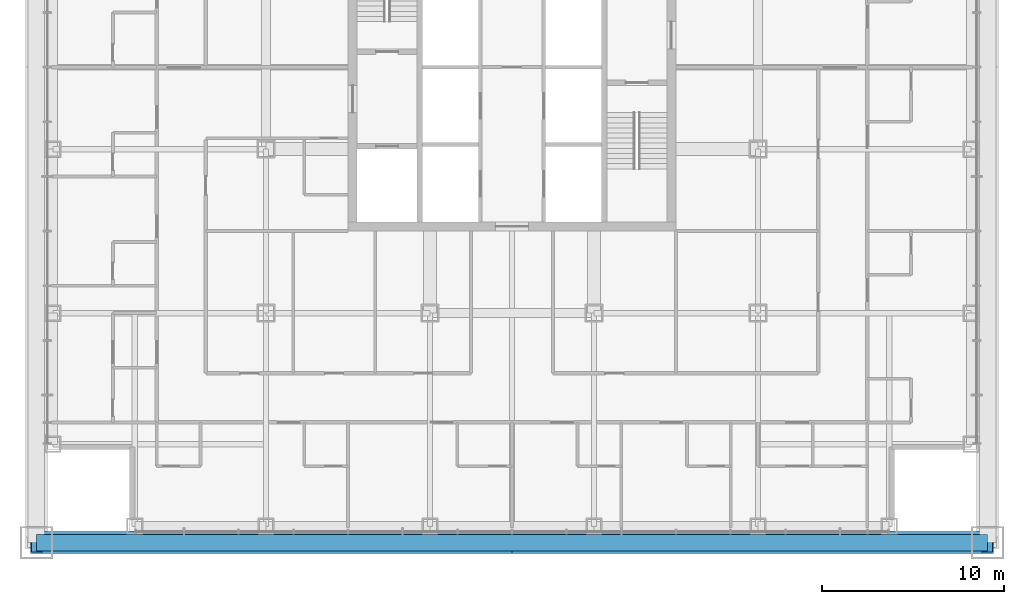
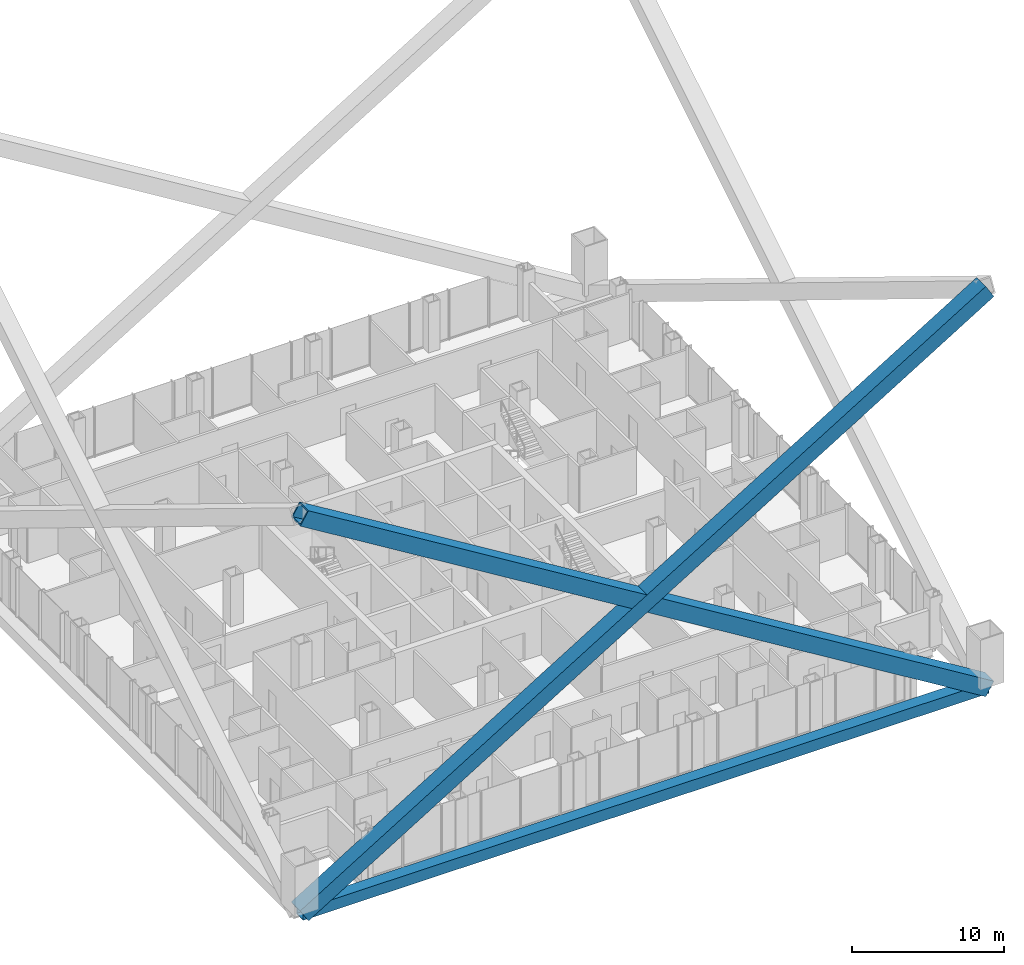
# One storey, part 3 of 21: 3 members.
"""IFC4 building model written with IfcOpenShell, lengths in metres."""

from ifc_helpers import new_model, si_unit, direction, frame, origin, origin_2d, place, context, subcontext, project, spatial, hollow_rectangle, extrude, material, material_profile, profile_set, type_object, element, save


model = new_model("IFC4")

# Units and contexts
model_context = context("Model", 3, precision=1e-05, world=origin(), true_north=direction((0.0, 1.0)))
body_context = subcontext(model_context, "Body", "Model", "MODEL_VIEW")
ifc_project = project(units=[si_unit("LENGTHUNIT", "METRE"), si_unit("AREAUNIT", "SQUARE_METRE"), si_unit("VOLUMEUNIT", "CUBIC_METRE"), si_unit("PLANEANGLEUNIT", "RADIAN"), si_unit("MASSUNIT", "GRAM", prefix="KILO")], contexts=[model_context])

# Site, building, storey
site_placement = place(None, origin())
site = spatial("IfcSite", under=ifc_project, at=site_placement, CompositionType="ELEMENT")
building_placement = place(site_placement, origin())
building = spatial("IfcBuilding", under=site, at=building_placement, Name="Malebo Sky Hospital", CompositionType="ELEMENT")
storey_placement = place(building_placement, frame((0.0, 0.0, 31.0)))
storey = spatial("IfcBuildingStorey", under=building, at=storey_placement, Name="L06", CompositionType="ELEMENT", Elevation=31.0)

# Members
ifc_material = material(Name="Steel S460", Category="steel")
ifc_material_profile_1 = material_profile(ifc_material, hollow_rectangle(XDim=1.199951171875, YDim=1.199951171875, WallThickness=0.10009765625, at=origin_2d()), Name="BOX 1200x1200x100")
ifc_profile_set_1 = profile_set([ifc_material_profile_1], Name="Steel S460")
member_type_1 = type_object("IfcMemberType", Name="MEGA BRACE BOX 1200x1200x100", PredefinedType="BRACE", material=ifc_profile_set_1)
for number, where, z_axis, x_axis, name in (
    (1, (33.89990234375, 35.89990234375, -0.39990234375), (0.85255517375, 0.0, 0.522637231464), (0.0, 1.0, 0.0), "Mega brace A1S1 L06-L14"),
    (2, (86.10009765625, 35.89990234375, -0.39990234375), (-0.85255517375, 0.0, 0.522637231464), (0.0, -1.0, 0.0), "Mega brace A1S2 L06-L14"),
):
    element("IfcMember", number, at=place(storey_placement, frame(where, z_axis=z_axis, x_axis=x_axis)), inside=storey, type_object=member_type_1, Name=name, PredefinedType="BRACE", context=body_context, shape_type="SweptSolid", body=[
        extrude(hollow_rectangle(XDim=1.199951171875, YDim=1.199951171875, WallThickness=0.10009765625, at=origin_2d()), origin(), (0.0, 0.0, 1.0), 61.22802734375),
    ])
ifc_material_profile_2 = material_profile(ifc_material, hollow_rectangle(XDim=0.89990234375, YDim=0.89990234375, WallThickness=0.050048828125, at=origin_2d()), Name="BOX 900x900x50")
ifc_profile_set_2 = profile_set([ifc_material_profile_2], Name="Steel S460")
member_type_2 = type_object("IfcMemberType", Name="MEGA TIE BOX 900x900x50", PredefinedType="CHORD", material=ifc_profile_set_2)
member_placement = place(storey_placement, frame((33.89990234375, 35.89990234375, -0.39990234375), z_axis=(1.0, 0.0, 0.0), x_axis=(0.0, 1.0, 0.0)))
element("IfcMember", 3, at=member_placement, inside=storey, type_object=member_type_2, Name="Mega tie AS L06", PredefinedType="CHORD", context=body_context, shape_type="SweptSolid", body=[
    extrude(hollow_rectangle(XDim=0.89990234375, YDim=0.89990234375, WallThickness=0.050048828125, at=origin_2d()), origin(), (0.0, 0.0, 1.0), 52.2001953125),
])

save(model, "model.ifc")
